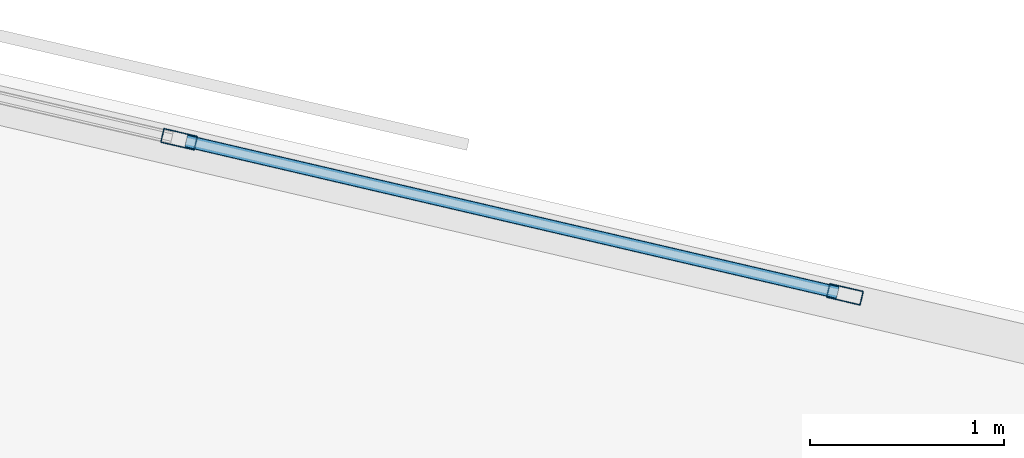
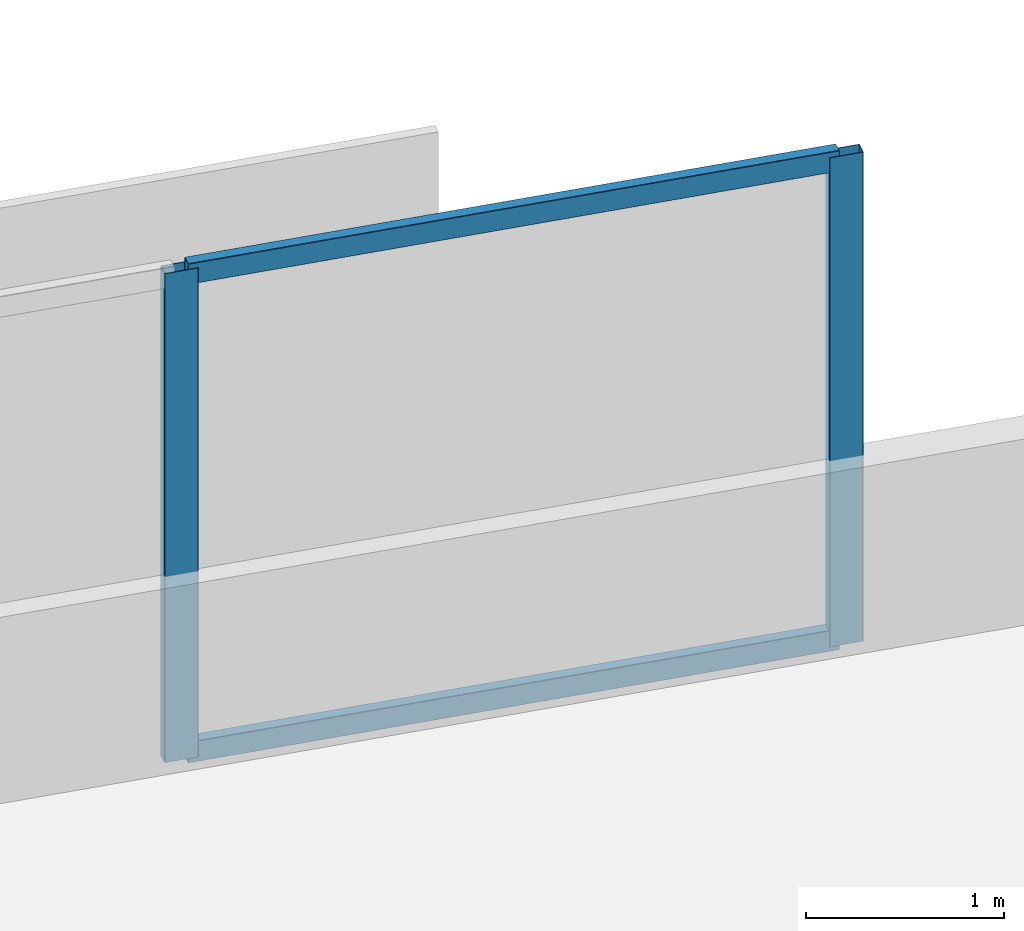
# One storey, part 2 of 14: 4 members, 1 element without a shape of its own.
"""IFC4 building model written with IfcOpenShell, lengths in metres."""

from ifc_helpers import new_model, si_unit, direction, frame, origin, origin_2d, place, context, subcontext, project, spatial, hollow_rectangle, extrude, material, material_profile, profile_set, type_object, element, aggregate, save


model = new_model("IFC4")

# Units and contexts
model_context = context("Model", 3, precision=1e-05, world=origin(), true_north=direction((0.0, 1.0)))
body_context = subcontext(model_context, "Body", "Model", "MODEL_VIEW")
ifc_project = project(units=[si_unit("LENGTHUNIT", "METRE"), si_unit("AREAUNIT", "SQUARE_METRE"), si_unit("VOLUMEUNIT", "CUBIC_METRE"), si_unit("PLANEANGLEUNIT", "RADIAN"), si_unit("MASSUNIT", "GRAM", prefix="KILO")], contexts=[model_context])

# Site, building, storey
site_placement = place(None, origin())
site = spatial("IfcSite", under=ifc_project, at=site_placement, CompositionType="ELEMENT")
building_placement = place(site_placement, origin())
building = spatial("IfcBuilding", under=site, at=building_placement, Name="Narakoshi Arena Tower", CompositionType="ELEMENT")
storey_placement = place(building_placement, frame((0.0, 0.0, 193.179931640625)))
storey = spatial("IfcBuildingStorey", under=building, at=storey_placement, Name="L52", CompositionType="ELEMENT", Elevation=193.179931640625)

# Curtain wall, members
ifc_material = material(Name="Anodised bronze aluminium 6063-T6", Category="aluminium")
curtain_wall_type = type_object("IfcCurtainWallType", Name="CW-HYP-MID", PredefinedType="NOTDEFINED", material=ifc_material)
curtain_wall_placement = place(storey_placement, origin())
curtain_wall = element("IfcCurtainWall", 1, at=curtain_wall_placement, inside=storey, type_object=curtain_wall_type, Name="L52 Folded Hypotenuse Curtain Wall 2-1", PredefinedType="NOTDEFINED")
ifc_material_profile_1 = material_profile(ifc_material, hollow_rectangle(XDim=0.074951171875, YDim=0.179931640625, WallThickness=0.00390625, OuterFilletRadius=0.0048828125, at=origin_2d()), Name="MUL180x75x4")
ifc_profile_set_1 = profile_set([ifc_material_profile_1], Name="Anodised bronze aluminium 6063-T6")
member_type_1 = type_object("IfcMemberType", Name="MEM-MUL-180", PredefinedType="MULLION", material=ifc_profile_set_1)
member_1_placement = place(storey_placement, frame((85.6767578125, 62.869384765625, 0.0), z_axis=(0.0, 0.0, 1.0), x_axis=(-0.22672122121, -0.973959695189, 0.0)))
member_1 = element("IfcMember", 2, at=member_1_placement, type_object=member_type_1, Name="CW-02 mullion 1", PredefinedType="MULLION", context=body_context, shape_type="SweptSolid", body=[
    extrude(hollow_rectangle(XDim=0.074951171875, YDim=0.179931640625, WallThickness=0.00390625, OuterFilletRadius=0.0048828125, at=origin_2d()), origin(), (0.0, 0.0, 1.0), 3.02001953125),
])
member_2_placement = place(storey_placement, frame((82.25244140625, 63.666748046875, 0.0), z_axis=(0.0, 0.0, 1.0), x_axis=(-0.22672122121, -0.973959695189, 0.0)))
member_2 = element("IfcMember", 3, at=member_2_placement, type_object=member_type_1, Name="CW-02 mullion 2", PredefinedType="MULLION", context=body_context, shape_type="SweptSolid", body=[
    extrude(hollow_rectangle(XDim=0.074951171875, YDim=0.179931640625, WallThickness=0.00390625, OuterFilletRadius=0.0048828125, at=origin_2d()), origin(), (0.0, 0.0, 1.0), 3.02001953125),
])
ifc_material_profile_2 = material_profile(ifc_material, hollow_rectangle(XDim=0.06494140625, YDim=0.1298828125, WallThickness=0.00390625, OuterFilletRadius=0.0048828125, at=origin_2d()), Name="TRN130x65x4")
ifc_profile_set_2 = profile_set([ifc_material_profile_2], Name="Anodised bronze aluminium 6063-T6")
member_type_2 = type_object("IfcMemberType", Name="MEM-TRN-130", PredefinedType="USERDEFINED", material=ifc_profile_set_2)
member_3_placement = place(storey_placement, frame((85.64013671875, 62.8779296875, 0.032470703125), z_axis=(-0.973950477278, 0.226760816302, 0.0), x_axis=(-0.226760816302, -0.973950477278, 0.0)))
member_3 = element("IfcMember", 4, at=member_3_placement, type_object=member_type_2, Name="CW-02 transom 1.1", ObjectType="TRANSOM", PredefinedType="USERDEFINED", context=body_context, shape_type="SweptSolid", body=[
    extrude(hollow_rectangle(XDim=0.06494140625, YDim=0.1298828125, WallThickness=0.00390625, OuterFilletRadius=0.0048828125, at=origin_2d()), origin(), (0.0, 0.0, 1.0), 3.44091796875),
])
member_4_placement = place(storey_placement, frame((85.64013671875, 62.8779296875, 2.987548828125), z_axis=(-0.973950477278, 0.226760816302, 0.0), x_axis=(-0.226760816302, -0.973950477278, 0.0)))
member_4 = element("IfcMember", 5, at=member_4_placement, type_object=member_type_2, Name="CW-02 transom 1.2", ObjectType="TRANSOM", PredefinedType="USERDEFINED", context=body_context, shape_type="SweptSolid", body=[
    extrude(hollow_rectangle(XDim=0.06494140625, YDim=0.1298828125, WallThickness=0.00390625, OuterFilletRadius=0.0048828125, at=origin_2d()), origin(), (0.0, 0.0, 1.0), 3.44091796875),
])
aggregate(curtain_wall, [member_1, member_2, member_3, member_4])

save(model, "model.ifc")
